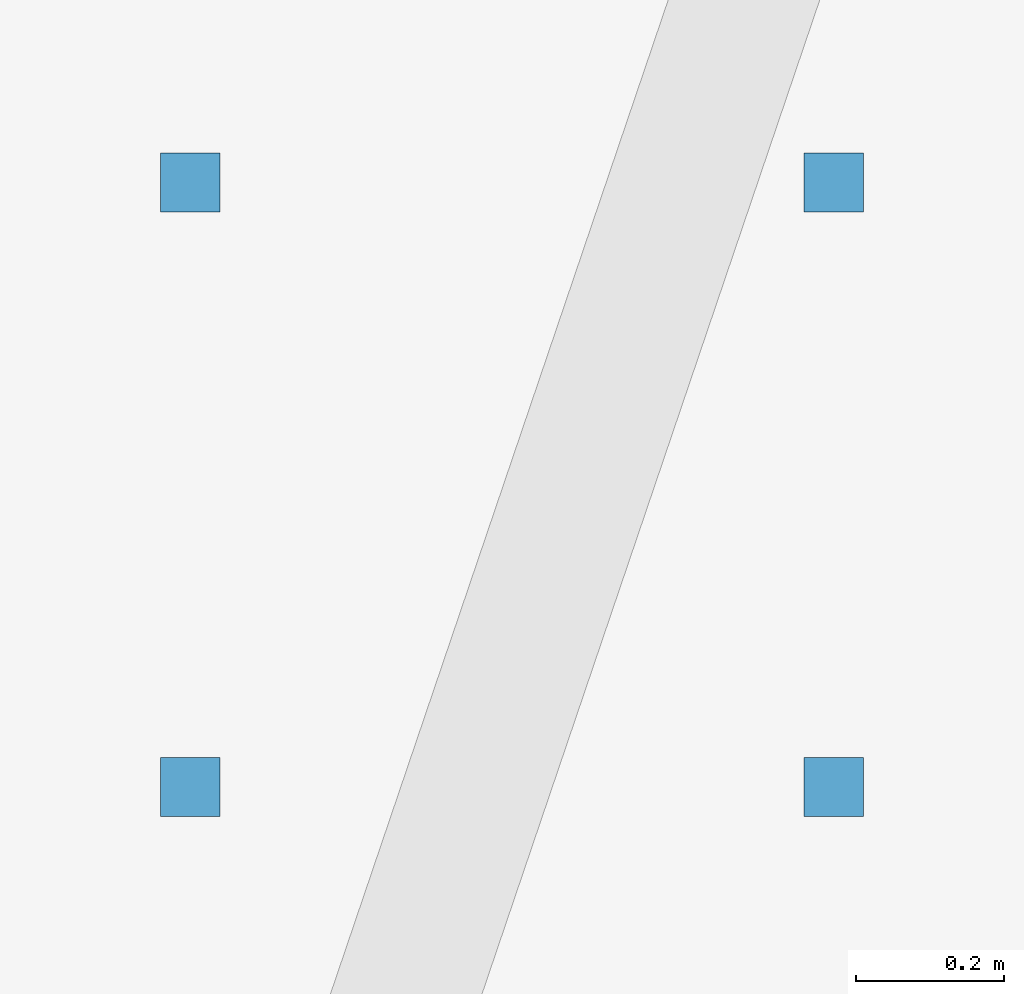
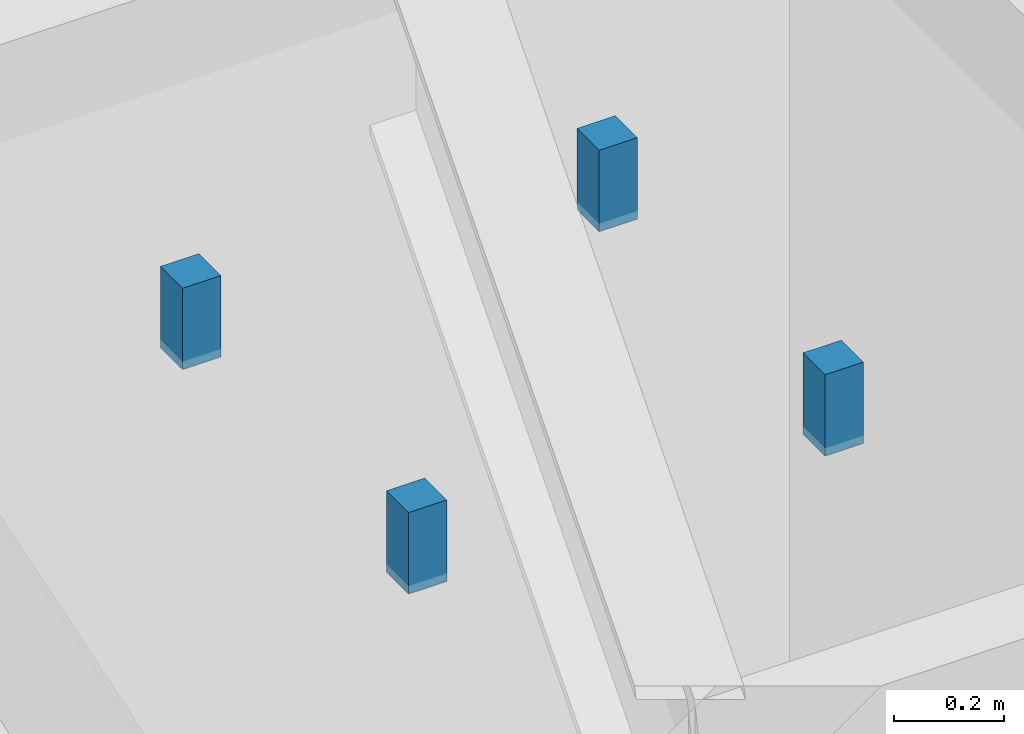
# One storey, part 8 of 13: 4 discrete accessories.
"""IFC4 building model written with IfcOpenShell, lengths in metres."""

from ifc_helpers import new_model, si_unit, direction, frame, origin, origin_2d, place, context, subcontext, project, spatial, rectangle, extrude, material, type_object, element, save


model = new_model("IFC4")

# Units and contexts
model_context = context("Model", 3, precision=1e-05, world=origin(), true_north=direction((0.0, 1.0)))
body_context = subcontext(model_context, "Body", "Model", "MODEL_VIEW")
ifc_project = project(units=[si_unit("LENGTHUNIT", "METRE"), si_unit("AREAUNIT", "SQUARE_METRE"), si_unit("VOLUMEUNIT", "CUBIC_METRE"), si_unit("PLANEANGLEUNIT", "RADIAN"), si_unit("MASSUNIT", "GRAM", prefix="KILO")], contexts=[model_context])

# Site, building, storey
site_placement = place(None, origin())
site = spatial("IfcSite", under=ifc_project, at=site_placement, CompositionType="ELEMENT")
building_placement = place(site_placement, origin())
building = spatial("IfcBuilding", under=site, at=building_placement, Name="Kolvaren Gate Tower and Convention Centre", CompositionType="ELEMENT")
storey_placement = place(building_placement, frame((0.0, 0.0, 166.5)))
storey = spatial("IfcBuildingStorey", under=building, at=storey_placement, Name="L43", CompositionType="ELEMENT", Elevation=166.5)

# Discrete accessories
ifc_material = material(Name="Brushed Stainless Steel Grade 316L", Category="steel")
discrete_accessory_type = type_object("IfcDiscreteAccessoryType", Name="ARCH-ACC-HANGER-80", PredefinedType="BRACKET", material=ifc_material)
for number, where, z_axis, x_axis, name in (
    (1, (9.4541015625, 29.365966796875, 2.9501953125), (0.0, 0.0, 1.0), (1.0, 0.0, 0.0), "En-suite Bathroom (HTL-L43-14) Ceiling Suspension Hanger Clip 1"),
    (2, (10.324951171875, 29.365966796875, 2.9501953125), (0.0, 0.0, 1.0), (1.0, 0.0, 0.0), "En-suite Bathroom (HTL-L43-14) Ceiling Suspension Hanger Clip 2"),
    (3, (9.4541015625, 30.18408203125, 2.9501953125), (0.0, 0.0, 1.0), (1.0, 0.0, 0.0), "En-suite Bathroom (HTL-L43-14) Ceiling Suspension Hanger Clip 3"),
    (4, (10.324951171875, 30.18408203125, 2.9501953125), (0.0, 0.0, 1.0), (1.0, 0.0, 0.0), "En-suite Bathroom (HTL-L43-14) Ceiling Suspension Hanger Clip 4"),
):
    element("IfcDiscreteAccessory", number, at=place(storey_placement, frame(where, z_axis=z_axis, x_axis=x_axis)), inside=storey, type_object=discrete_accessory_type, Name=name, PredefinedType="BRACKET", context=body_context, shape_type="SweptSolid", body=[
        extrude(rectangle(XDim=0.080078125, YDim=0.080078125, at=origin_2d()), origin(), (0.0, 0.0, 1.0), 0.179931640625),
    ])

save(model, "model.ifc")
